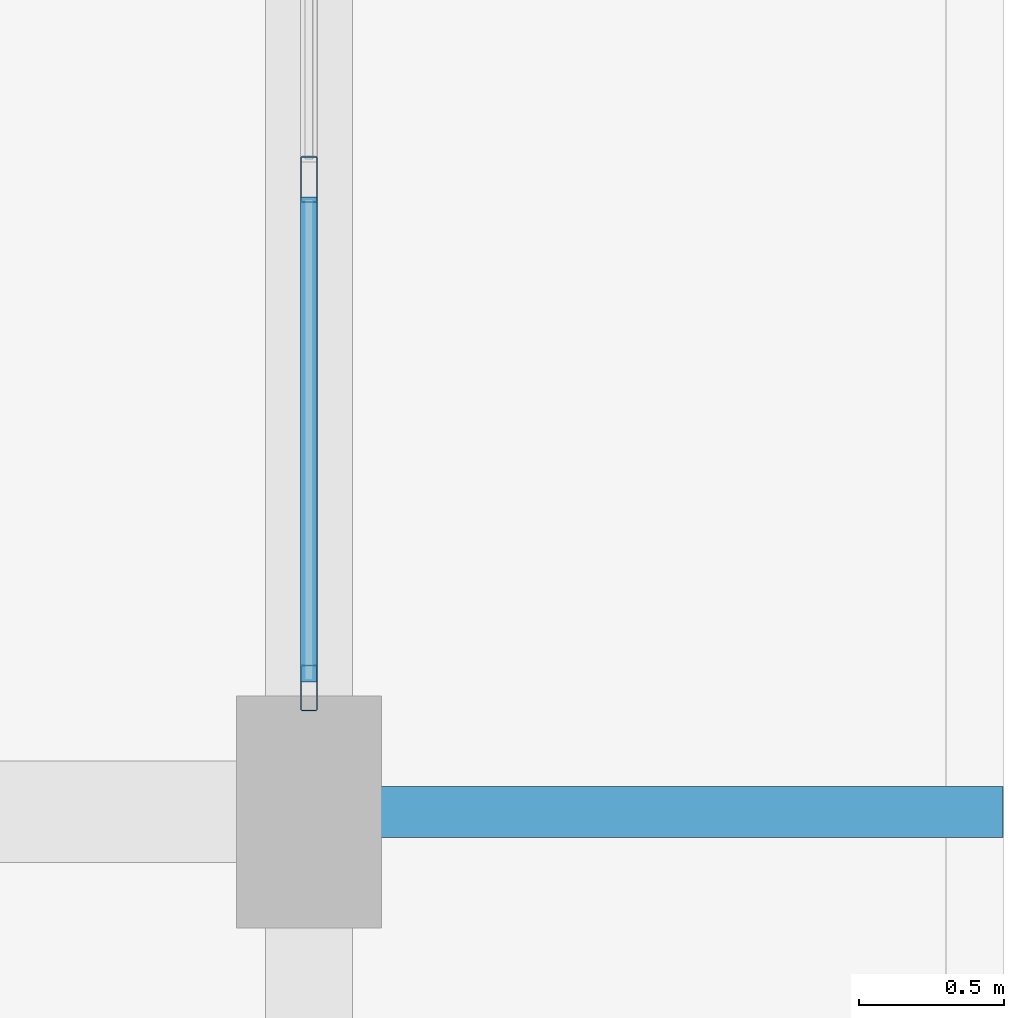
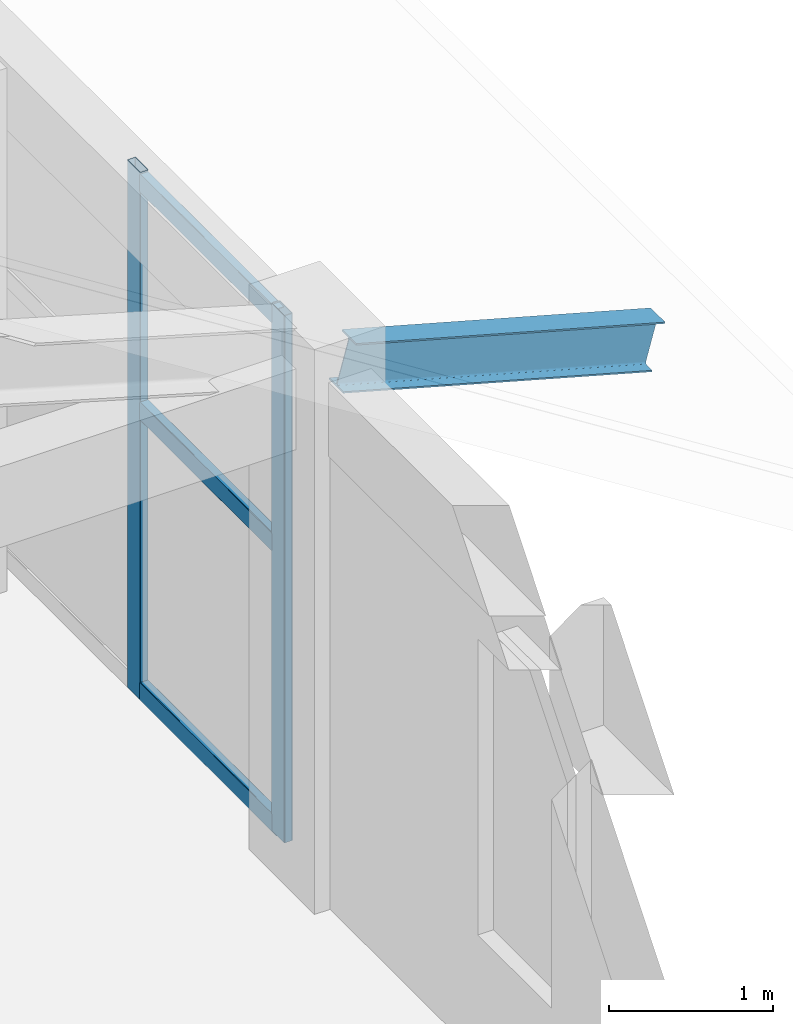
# One storey, part 37 of 58: 5 members, 1 beam, 1 element without a shape of its own.
"""IFC4 building model written with IfcOpenShell, lengths in metres."""

from ifc_helpers import new_model, si_unit, derived_unit, direction, frame, origin, origin_2d, place, context, subcontext, project, spatial, hollow_rectangle, i_section, extrude, material, material_profile, profile_set, type_object, element, aggregate, save


model = new_model("IFC4")

# Units and contexts
model_context = context("Model", 3, precision=1e-05, world=origin(), true_north=direction((0.0, 1.0)))
body_context = subcontext(model_context, "Body", "Model", "MODEL_VIEW")
ifc_project = project(units=[si_unit("LENGTHUNIT", "METRE"), si_unit("AREAUNIT", "SQUARE_METRE"), si_unit("VOLUMEUNIT", "CUBIC_METRE"), si_unit("PLANEANGLEUNIT", "RADIAN"), si_unit("MASSUNIT", "GRAM", prefix="KILO"), derived_unit("THERMALTRANSMITTANCEUNIT", [(si_unit("MASSUNIT", "GRAM", prefix="KILO"), 1), (si_unit("TIMEUNIT", "SECOND"), -3), (si_unit("THERMODYNAMICTEMPERATUREUNIT", "KELVIN"), -1)])], contexts=[model_context])

# Site, building, storey
site_placement = place(None, origin())
site = spatial("IfcSite", under=ifc_project, at=site_placement, CompositionType="ELEMENT")
building_placement = place(site_placement, origin())
building = spatial("IfcBuilding", under=site, at=building_placement, Name="Zhenchuan Archway Interchange", CompositionType="ELEMENT")
storey_placement = place(building_placement, frame((0.0, 0.0, 22.800048828125)))
storey = spatial("IfcBuildingStorey", under=building, at=storey_placement, Name="L05", CompositionType="ELEMENT", Elevation=22.800048828125)

# Beam
ifc_material_1 = material(Name="Steel Q355", Category="steel")
ifc_material_profile_1 = material_profile(ifc_material_1, i_section(OverallWidth=0.175048828125, OverallDepth=0.35009765625, WebThickness=0.007080078125, FlangeThickness=0.010986328125, FilletRadius=0.013916015625, at=origin_2d()), Name="HN 350x175")
ifc_profile_set_1 = profile_set([ifc_material_profile_1], Name="Steel Q355")
beam_type = type_object("IfcBeamType", Name="BM_STL_EAVE_HN350", PredefinedType="BEAM", material=ifc_profile_set_1)
beam_placement = place(storey_placement, frame((171.179931640625, 72.0, 3.719970703125), z_axis=(0.963829493521, 0.0, -0.266519619201), x_axis=(0.0, 1.0, 0.0)))
element("IfcBeam", 1, at=beam_placement, inside=storey, type_object=beam_type, Name="Command wing east storm-eave bracket T7", PredefinedType="BEAM", context=body_context, shape_type="SweptSolid", body=[
    extrude(i_section(OverallWidth=0.175048828125, OverallDepth=0.35009765625, WebThickness=0.007080078125, FlangeThickness=0.010986328125, FilletRadius=0.013916015625, at=origin_2d()), origin(), (0.0, 0.0, 1.0), 2.251708984375),
])

# Curtain wall, members
ifc_material_2 = material(Name="Anodised Aluminium", Category="aluminium")
curtain_wall_type = type_object("IfcCurtainWallType", Name="CW_UNIT_3", PredefinedType="NOTDEFINED", material=ifc_material_2)
curtain_wall_placement = place(storey_placement, origin())
curtain_wall = element("IfcCurtainWall", 2, at=curtain_wall_placement, inside=storey, type_object=curtain_wall_type, Name="Unitised curtain wall CW:L05:206", PredefinedType="NOTDEFINED")
ifc_material_profile_2 = material_profile(ifc_material_2, hollow_rectangle(XDim=0.06005859375, YDim=0.159912109375, WallThickness=0.00390625, InnerFilletRadius=0.00390625, OuterFilletRadius=0.008056640625, at=origin_2d()), Name="ALU 160x60x4")
ifc_profile_set_2 = profile_set([ifc_material_profile_2], Name="Anodised Aluminium")
member_type_1 = type_object("IfcMemberType", Name="CW_MUL_150", PredefinedType="MULLION", material=ifc_profile_set_2)
member_1_placement = place(storey_placement, frame((171.0, 74.18408203125, 0.0), z_axis=(0.0, 0.0, 1.0), x_axis=(1.0, 0.0, 0.0)))
member_1 = element("IfcMember", 3, at=member_1_placement, type_object=member_type_1, Name="CW:L05:206 mullion 3", PredefinedType="MULLION", context=body_context, shape_type="SweptSolid", body=[
    extrude(hollow_rectangle(XDim=0.06005859375, YDim=0.159912109375, WallThickness=0.00390625, InnerFilletRadius=0.00390625, OuterFilletRadius=0.008056640625, at=origin_2d()), origin(), (0.0, 0.0, 1.0), 3.919921875),
])
member_2_placement = place(storey_placement, frame((171.0, 72.427978515625, 0.0), z_axis=(0.0, 0.0, 1.0), x_axis=(1.0, 0.0, 0.0)))
member_2 = element("IfcMember", 4, at=member_2_placement, type_object=member_type_1, Name="CW:L05:206 mullion 4", PredefinedType="MULLION", context=body_context, shape_type="SweptSolid", body=[
    extrude(hollow_rectangle(XDim=0.06005859375, YDim=0.159912109375, WallThickness=0.00390625, InnerFilletRadius=0.00390625, OuterFilletRadius=0.008056640625, at=origin_2d()), origin(), (0.0, 0.0, 1.0), 3.919921875),
])
ifc_material_profile_3 = material_profile(ifc_material_2, hollow_rectangle(XDim=0.06005859375, YDim=0.139892578125, WallThickness=0.00341796875, InnerFilletRadius=0.00341796875, OuterFilletRadius=0.007080078125, at=origin_2d()), Name="ALU 140x60x3.5")
ifc_profile_set_3 = profile_set([ifc_material_profile_3], Name="Anodised Aluminium")
member_type_2 = type_object("IfcMemberType", Name="CW_TRN_140", PredefinedType="USERDEFINED", material=ifc_profile_set_3)
member_3_placement = place(storey_placement, frame((171.0, 74.1240234375, 0.06005859375), z_axis=(0.0, -1.0, 0.0), x_axis=(1.0, 0.0, 0.0)))
member_3 = element("IfcMember", 5, at=member_3_placement, type_object=member_type_2, Name="CW:L05:206 transom 3-1", ObjectType="TRANSOM", PredefinedType="USERDEFINED", context=body_context, shape_type="SweptSolid", body=[
    extrude(hollow_rectangle(XDim=0.06005859375, YDim=0.139892578125, WallThickness=0.00341796875, InnerFilletRadius=0.00341796875, OuterFilletRadius=0.007080078125, at=origin_2d()), origin(), (0.0, 0.0, 1.0), 1.676025390625),
])
member_4_placement = place(storey_placement, frame((171.0, 74.1240234375, 2.14501953125), z_axis=(0.0, -1.0, 0.0), x_axis=(1.0, 0.0, 0.0)))
member_4 = element("IfcMember", 6, at=member_4_placement, type_object=member_type_2, Name="CW:L05:206 transom 3-2", ObjectType="TRANSOM", PredefinedType="USERDEFINED", context=body_context, shape_type="SweptSolid", body=[
    extrude(hollow_rectangle(XDim=0.06005859375, YDim=0.139892578125, WallThickness=0.00341796875, InnerFilletRadius=0.00341796875, OuterFilletRadius=0.007080078125, at=origin_2d()), origin(), (0.0, 0.0, 1.0), 1.676025390625),
])
member_5_placement = place(storey_placement, frame((171.0, 74.1240234375, 3.83984375), z_axis=(0.0, -1.0, 0.0), x_axis=(1.0, 0.0, 0.0)))
member_5 = element("IfcMember", 7, at=member_5_placement, type_object=member_type_2, Name="CW:L05:206 transom 3-3", ObjectType="TRANSOM", PredefinedType="USERDEFINED", context=body_context, shape_type="SweptSolid", body=[
    extrude(hollow_rectangle(XDim=0.06005859375, YDim=0.139892578125, WallThickness=0.00341796875, InnerFilletRadius=0.00341796875, OuterFilletRadius=0.007080078125, at=origin_2d()), origin(), (0.0, 0.0, 1.0), 1.676025390625),
])
aggregate(curtain_wall, [member_1, member_2, member_3, member_4, member_5])

save(model, "model.ifc")
